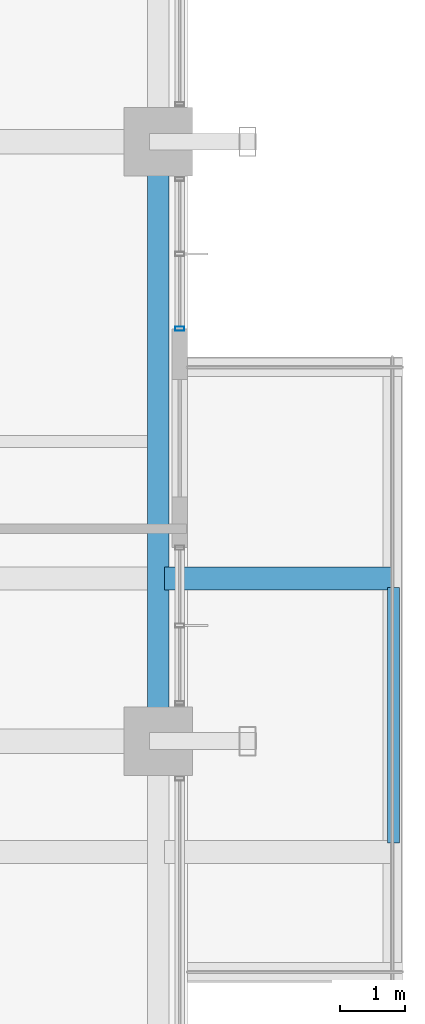
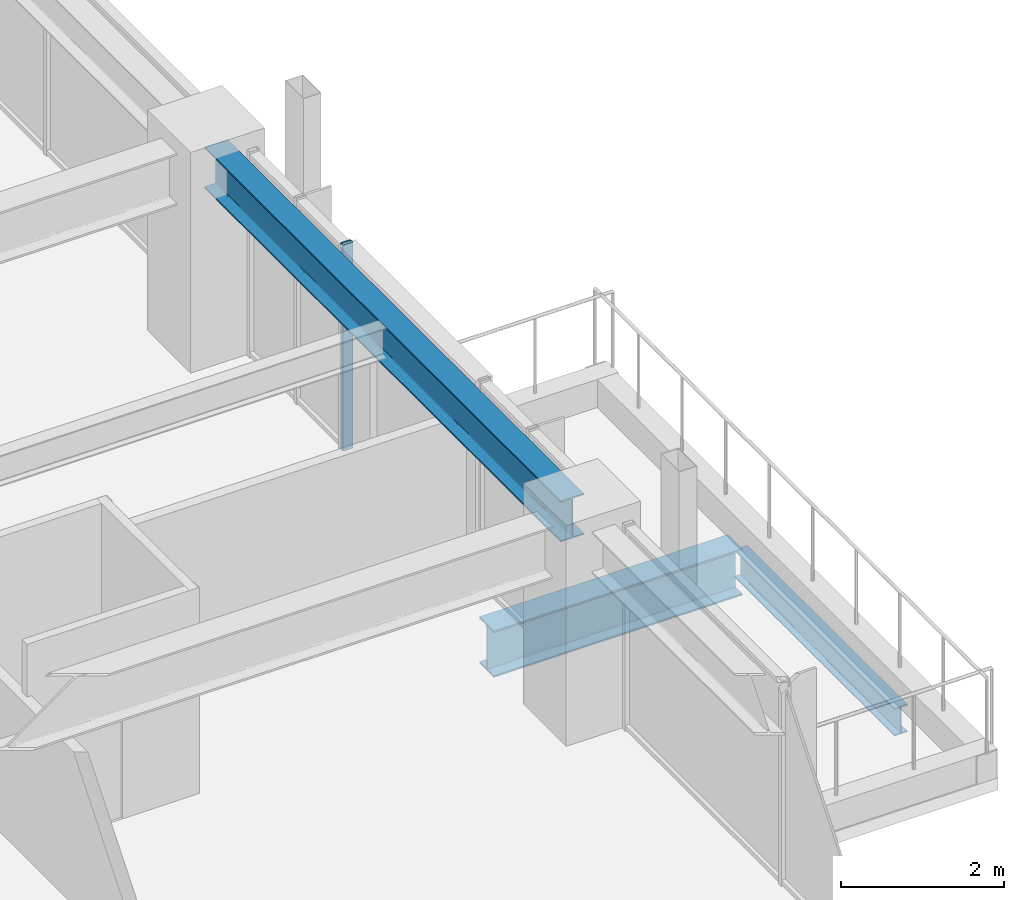
# One storey, part 15 of 37: 3 beams, 1 member, 1 element without a shape of its own.
"""IFC4 building model written with IfcOpenShell, lengths in metres."""

from ifc_helpers import new_model, si_unit, direction, frame, origin, origin_2d, place, context, subcontext, project, spatial, hollow_rectangle, i_section, extrude, material, material_profile, profile_set, type_object, element, aggregate, save


model = new_model("IFC4")

# Units and contexts
model_context = context("Model", 3, precision=1e-05, world=origin(), true_north=direction((0.0, 1.0)))
body_context = subcontext(model_context, "Body", "Model", "MODEL_VIEW")
ifc_project = project(units=[si_unit("LENGTHUNIT", "METRE"), si_unit("AREAUNIT", "SQUARE_METRE"), si_unit("VOLUMEUNIT", "CUBIC_METRE"), si_unit("PLANEANGLEUNIT", "RADIAN"), si_unit("MASSUNIT", "GRAM", prefix="KILO")], contexts=[model_context])

# Site, building, storey
site_placement = place(None, origin())
site = spatial("IfcSite", under=ifc_project, at=site_placement, CompositionType="ELEMENT")
building_placement = place(site_placement, origin())
building = spatial("IfcBuilding", under=site, at=building_placement, Name="Kolvaren Belvedere", CompositionType="ELEMENT")
storey_placement = place(building_placement, frame((0.0, 0.0, 82.10009765625)))
storey = spatial("IfcBuildingStorey", under=building, at=storey_placement, Name="L23", CompositionType="ELEMENT", Elevation=82.10009765625)

# Beams
ifc_material_1 = material(Name="Structural steel ASTM A992 Grade 50", Category="steel")
ifc_material_profile_1 = material_profile(ifc_material_1, i_section(OverallWidth=0.35498046875, OverallDepth=0.696044921875, WebThickness=0.015380859375, FlangeThickness=0.02490234375, FilletRadius=0.02197265625, at=origin_2d()), Name="W27X146")
ifc_profile_set_1 = profile_set([ifc_material_profile_1], Name="Structural steel ASTM A992 Grade 50")
beam_type_1 = type_object("IfcBeamType", Name="BM-CANT-BAL", PredefinedType="BEAM", material=ifc_profile_set_1)
beam_1_placement = place(storey_placement, frame((20.044921875, -2.10009765625, -0.568115234375), z_axis=(1.0, 0.0, 0.0), x_axis=(0.0, 1.0, 0.0)))
element("IfcBeam", 1, at=beam_1_placement, inside=storey, type_object=beam_type_1, Name="L23 Planted Balcony Cantilever SPIRAL-03-E-2", PredefinedType="BEAM", context=body_context, shape_type="SweptSolid", body=[
    extrude(i_section(OverallWidth=0.35498046875, OverallDepth=0.696044921875, WebThickness=0.015380859375, FlangeThickness=0.02490234375, FilletRadius=0.02197265625, at=origin_2d()), origin(), (0.0, 0.0, 1.0), 3.51513671875),
])
ifc_material_2 = material(Name="Structural steel ASTM A992 Grade 50", Category="steel")
ifc_material_profile_2 = material_profile(ifc_material_2, i_section(OverallWidth=0.180908203125, OverallDepth=0.4169921875, WebThickness=0.010986328125, FlangeThickness=0.018310546875, FilletRadius=0.013916015625, at=origin_2d()), Name="W16X57")
ifc_profile_set_2 = profile_set([ifc_material_profile_2], Name="Structural steel ASTM A992 Grade 50")
beam_type_2 = type_object("IfcBeamType", Name="BM-EDGE-W16X57", PredefinedType="BEAM", material=ifc_profile_set_2)
beam_2_placement = place(storey_placement, frame((23.56005859375, -6.159912109375, -0.4287109375), z_axis=(0.0, 1.0, 0.0), x_axis=(-1.0, 0.0, 0.0)))
element("IfcBeam", 2, at=beam_2_placement, inside=storey, type_object=beam_type_2, Name="L23 Balcony Tip Header Beam SPIRAL-03-E", PredefinedType="BEAM", context=body_context, shape_type="SweptSolid", body=[
    extrude(i_section(OverallWidth=0.180908203125, OverallDepth=0.4169921875, WebThickness=0.010986328125, FlangeThickness=0.018310546875, FilletRadius=0.013916015625, at=origin_2d()), origin(), (0.0, 0.0, 1.0), 3.919921875),
])
ifc_material_3 = material(Name="Structural steel ASTM A992 Grade 50", Category="steel")
ifc_material_profile_3 = material_profile(ifc_material_3, i_section(OverallWidth=0.324951171875, OverallDepth=0.615966796875, WebThickness=0.013916015625, FlangeThickness=0.021484375, FilletRadius=0.02001953125, at=origin_2d()), Name="W24X117")
ifc_profile_set_3 = profile_set([ifc_material_profile_3], Name="Structural steel ASTM A992 Grade 50")
beam_type_3 = type_object("IfcBeamType", Name="BM-SPAN-W24X117", PredefinedType="SPANDREL", material=ifc_profile_set_3)
beam_3_placement = place(storey_placement, frame((19.949951171875, -4.36376953125, 2.77197265625), z_axis=(0.0, 1.0, 0.0), x_axis=(-1.0, 0.0, 0.0)))
element("IfcBeam", 3, at=beam_3_placement, inside=storey, type_object=beam_type_3, Name="L23 Perimeter Spandrel E2-E3", PredefinedType="SPANDREL", context=body_context, shape_type="SweptSolid", body=[
    extrude(i_section(OverallWidth=0.324951171875, OverallDepth=0.615966796875, WebThickness=0.013916015625, FlangeThickness=0.021484375, FilletRadius=0.02001953125, at=origin_2d()), origin(), (0.0, 0.0, 1.0), 8.7275390625),
])

# Curtain wall, member
ifc_material_4 = material(Name="Anodised pale-metal aluminium AA 6063-T6", Category="aluminium")
curtain_wall_type = type_object("IfcCurtainWallType", Name="CW-Z2-MID", PredefinedType="NOTDEFINED", material=ifc_material_4)
curtain_wall_placement = place(storey_placement, origin())
curtain_wall = element("IfcCurtainWall", 4, at=curtain_wall_placement, inside=storey, type_object=curtain_wall_type, Name="L23 Unitised Curtain Wall FCW-L23-E1-B2", PredefinedType="NOTDEFINED")
ifc_material_5 = material(Name="Anodised pale-metal aluminium AA 6063-T6", Category="aluminium")
ifc_material_profile_4 = material_profile(ifc_material_5, hollow_rectangle(XDim=0.06494140625, YDim=0.139892578125, WallThickness=0.00390625, at=origin_2d()), Name="ALU-MUL-140X65")
ifc_profile_set_4 = profile_set([ifc_material_profile_4], Name="Anodised pale-metal aluminium AA 6063-T6")
member_type = type_object("IfcMemberType", Name="CW-MUL-140", PredefinedType="MULLION", material=ifc_profile_set_4)
member_placement = place(storey_placement, frame((20.280029296875, 1.72998046875, 0.0), z_axis=(0.0, 0.0, 1.0), x_axis=(0.0, 1.0, 0.0)))
member = element("IfcMember", 5, at=member_placement, type_object=member_type, Name="FCW-L23-E1-B2 Unitised Mullion 3", PredefinedType="MULLION", context=body_context, shape_type="SweptSolid", body=[
    extrude(hollow_rectangle(XDim=0.06494140625, YDim=0.139892578125, WallThickness=0.00390625, at=origin_2d()), origin(), (0.0, 0.0, 1.0), 3.079833984375),
])
aggregate(curtain_wall, [member])

save(model, "model.ifc")
